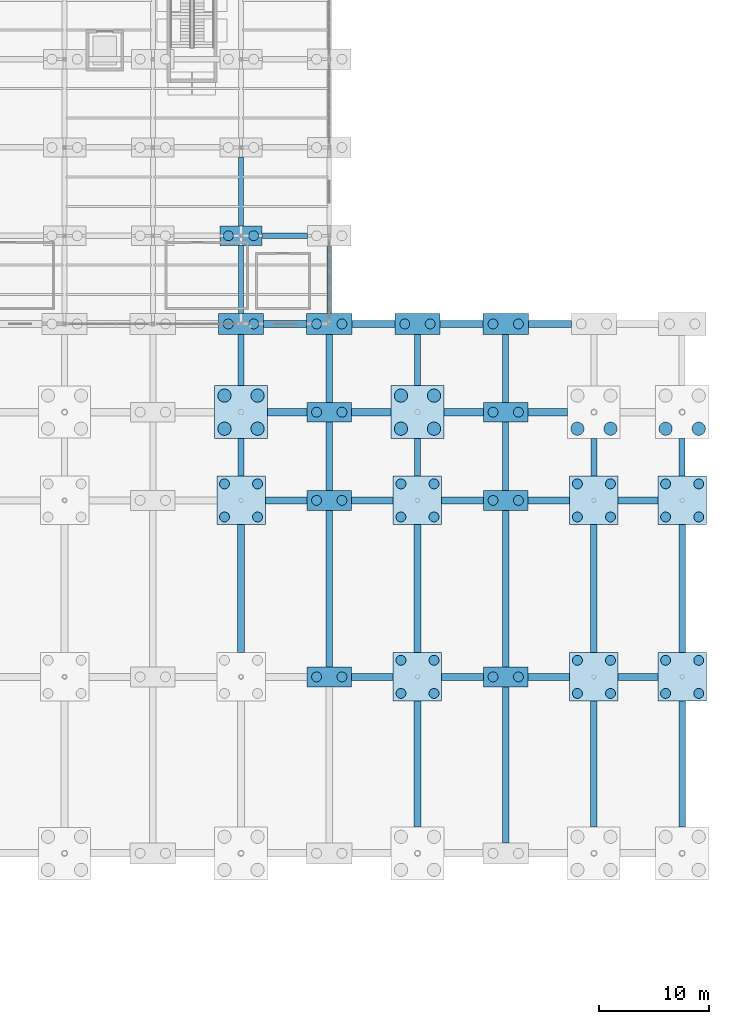
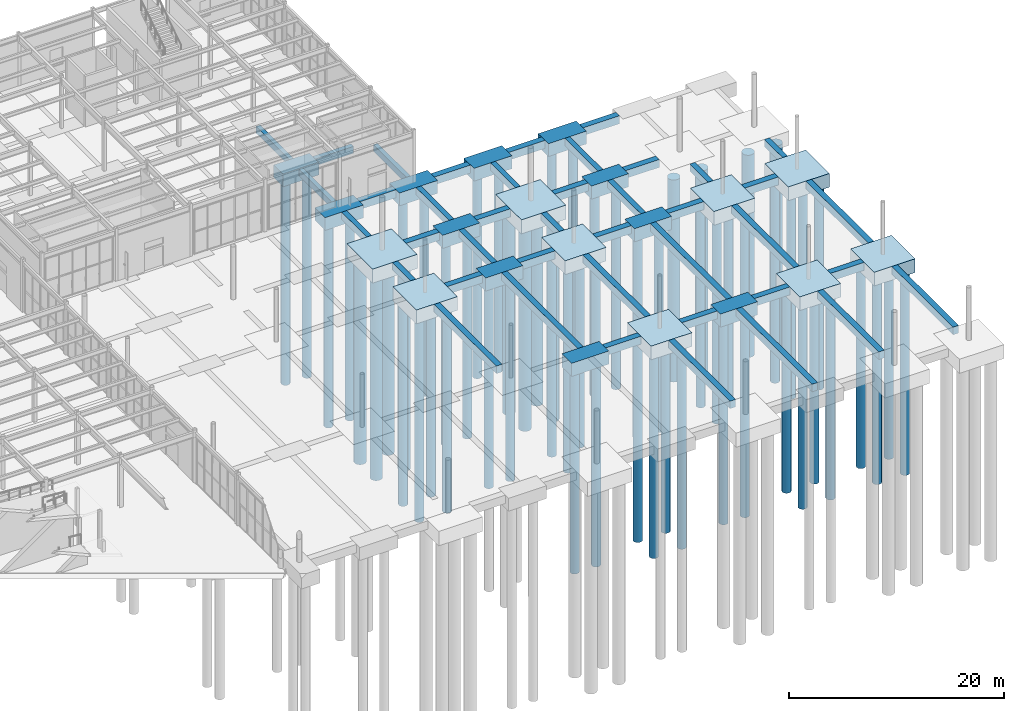
# One storey, part 3 of 82: 62 piles, 61 footings.
"""IFC4 building model written with IfcOpenShell, lengths in metres."""

from ifc_helpers import new_model, si_unit, direction, frame, origin, origin_2d, place, context, subcontext, project, spatial, rectangle, circle, extrude, material, material_profile, profile_set, type_object, element, save


model = new_model("IFC4")

# Units and contexts
model_context = context("Model", 3, precision=1e-05, world=origin(), true_north=direction((0.0, 1.0)))
body_context = subcontext(model_context, "Body", "Model", "MODEL_VIEW")
ifc_project = project(units=[si_unit("LENGTHUNIT", "METRE"), si_unit("AREAUNIT", "SQUARE_METRE"), si_unit("VOLUMEUNIT", "CUBIC_METRE"), si_unit("PLANEANGLEUNIT", "RADIAN"), si_unit("MASSUNIT", "GRAM", prefix="KILO")], contexts=[model_context])

# Site, building, storey
site_placement = place(None, origin())
site = spatial("IfcSite", under=ifc_project, at=site_placement, CompositionType="ELEMENT")
building_placement = place(site_placement, origin())
building = spatial("IfcBuilding", under=site, at=building_placement, Name="Drelvath Fold Interchange", CompositionType="ELEMENT")
storey_placement = place(building_placement, origin())
storey = spatial("IfcBuildingStorey", under=building, at=storey_placement, Name="L00", CompositionType="ELEMENT", Elevation=0.0)

# Piles
ifc_material_1 = material(Name="Concrete f'c 55 MPa (8000 psi)", Category="concrete")
ifc_material_profile_1 = material_profile(ifc_material_1, circle(Radius=0.60009765625, at=origin_2d()), Name="CAISSON D1200")
ifc_profile_set_1 = profile_set([ifc_material_profile_1], Name="Concrete f'c 55 MPa (8000 psi)")
pile_type_1 = type_object("IfcPileType", Name="CA-D1200", PredefinedType="BORED", material=ifc_profile_set_1)
for number, where, z_axis, x_axis, name in (
    (1, (132.5, 65.5, -1.5), (0.0, 0.0, -1.0), (1.0, 0.0, 0.0), "L00 rock-socketed caisson PL-L00-256"),
    (2, (135.5, 65.5, -1.5), (0.0, 0.0, -1.0), (1.0, 0.0, 0.0), "L00 rock-socketed caisson PL-L00-257"),
    (3, (135.5, 68.5, -1.5), (0.0, 0.0, -1.0), (1.0, 0.0, 0.0), "L00 rock-socketed caisson PL-L00-258"),
    (4, (132.5, 68.5, -1.5), (0.0, 0.0, -1.0), (1.0, 0.0, 0.0), "L00 rock-socketed caisson PL-L00-259"),
    (5, (148.5, 65.5, -1.5), (0.0, 0.0, -1.0), (1.0, 0.0, 0.0), "L00 rock-socketed caisson PL-L00-300"),
    (6, (151.5, 65.5, -1.5), (0.0, 0.0, -1.0), (1.0, 0.0, 0.0), "L00 rock-socketed caisson PL-L00-301"),
    (7, (151.5, 68.5, -1.5), (0.0, 0.0, -1.0), (1.0, 0.0, 0.0), "L00 rock-socketed caisson PL-L00-302"),
    (8, (148.5, 68.5, -1.5), (0.0, 0.0, -1.0), (1.0, 0.0, 0.0), "L00 rock-socketed caisson PL-L00-303"),
):
    element("IfcPile", number, at=place(storey_placement, frame(where, z_axis=z_axis, x_axis=x_axis)), inside=storey, type_object=pile_type_1, Name=name, PredefinedType="BORED", context=body_context, shape_type="SweptSolid", body=[
        extrude(circle(Radius=0.60009765625, at=origin_2d()), origin(), (0.0, 0.0, 1.0), 23.0),
    ])
for number, where, z_axis, x_axis, name in (
    (9, (164.5, 65.5, -1.52001953125), (0.0, 0.0, -1.0), (1.0, 0.0, 0.0), "L00 rock-socketed caisson PL-L00-328"),
    (10, (167.5, 65.5, -1.52001953125), (0.0, 0.0, -1.0), (1.0, 0.0, 0.0), "L00 rock-socketed caisson PL-L00-329"),
):
    element("IfcPile", number, at=place(storey_placement, frame(where, z_axis=z_axis, x_axis=x_axis)), inside=storey, type_object=pile_type_1, Name=name, PredefinedType="BORED", context=body_context, shape_type="SweptSolid", body=[
        extrude(circle(Radius=0.60009765625, at=origin_2d()), origin(), (0.0, 0.0, 1.0), 22.97998046875),
    ])
for number, where, z_axis, x_axis, name in (
    (11, (172.5, 65.5, -1.5), (0.0, 0.0, -1.0), (1.0, 0.0, 0.0), "L00 rock-socketed caisson PL-L00-346"),
    (12, (175.5, 65.5, -1.5), (0.0, 0.0, -1.0), (1.0, 0.0, 0.0), "L00 rock-socketed caisson PL-L00-347"),
):
    element("IfcPile", number, at=place(storey_placement, frame(where, z_axis=z_axis, x_axis=x_axis)), inside=storey, type_object=pile_type_1, Name=name, PredefinedType="BORED", context=body_context, shape_type="SweptSolid", body=[
        extrude(circle(Radius=0.60009765625, at=origin_2d()), origin(), (0.0, 0.0, 1.0), 23.0),
    ])
ifc_material_profile_2 = material_profile(ifc_material_1, circle(Radius=0.449951171875, at=origin_2d()), Name="CAISSON D900")
ifc_profile_set_2 = profile_set([ifc_material_profile_2], Name="Concrete f'c 55 MPa (8000 psi)")
pile_type_2 = type_object("IfcPileType", Name="CA-D900", PredefinedType="BORED", material=ifc_profile_set_2)
for number, where, z_axis, x_axis, name in (
    (13, (132.5, 57.5, -1.4599609375), (0.0, 0.0, -1.0), (1.0, 0.0, 0.0), "L00 rock-socketed caisson PL-L00-252"),
    (14, (135.5, 57.5, -1.4599609375), (0.0, 0.0, -1.0), (1.0, 0.0, 0.0), "L00 rock-socketed caisson PL-L00-253"),
    (15, (135.5, 60.5, -1.4599609375), (0.0, 0.0, -1.0), (1.0, 0.0, 0.0), "L00 rock-socketed caisson PL-L00-254"),
    (16, (132.5, 60.5, -1.4599609375), (0.0, 0.0, -1.0), (1.0, 0.0, 0.0), "L00 rock-socketed caisson PL-L00-255"),
):
    element("IfcPile", number, at=place(storey_placement, frame(where, z_axis=z_axis, x_axis=x_axis)), inside=storey, type_object=pile_type_2, Name=name, PredefinedType="BORED", context=body_context, shape_type="SweptSolid", body=[
        extrude(circle(Radius=0.449951171875, at=origin_2d()), origin(), (0.0, 0.0, 1.0), 23.0400390625),
    ])
for number, where, z_axis, x_axis, name in (
    (17, (132.85009765625, 75.0, -1.360107421875), (0.0, 0.0, -1.0), (1.0, 0.0, 0.0), "L00 rock-socketed caisson PL-L00-260"),
    (18, (135.14990234375, 75.0, -1.360107421875), (0.0, 0.0, -1.0), (1.0, 0.0, 0.0), "L00 rock-socketed caisson PL-L00-261"),
):
    element("IfcPile", number, at=place(storey_placement, frame(where, z_axis=z_axis, x_axis=x_axis)), inside=storey, type_object=pile_type_2, Name=name, PredefinedType="BORED", context=body_context, shape_type="SweptSolid", body=[
        extrude(circle(Radius=0.449951171875, at=origin_2d()), origin(), (0.0, 0.0, 1.0), 23.139892578125),
    ])
for number, where, z_axis, x_axis, name in (
    (19, (132.85009765625, 83.0, -1.340087890625), (0.0, 0.0, -1.0), (1.0, 0.0, 0.0), "L00 rock-socketed caisson PL-L00-262"),
    (20, (135.14990234375, 83.0, -1.340087890625), (0.0, 0.0, -1.0), (1.0, 0.0, 0.0), "L00 rock-socketed caisson PL-L00-263"),
):
    element("IfcPile", number, at=place(storey_placement, frame(where, z_axis=z_axis, x_axis=x_axis)), inside=storey, type_object=pile_type_2, Name=name, PredefinedType="BORED", context=body_context, shape_type="SweptSolid", body=[
        extrude(circle(Radius=0.449951171875, at=origin_2d()), origin(), (0.0, 0.0, 1.0), 23.159912109375),
    ])
for number, where, z_axis, x_axis, name in (
    (21, (140.85009765625, 43.0, -1.39990234375), (0.0, 0.0, -1.0), (1.0, 0.0, 0.0), "L00 rock-socketed caisson PL-L00-272"),
    (22, (143.14990234375, 43.0, -1.39990234375), (0.0, 0.0, -1.0), (1.0, 0.0, 0.0), "L00 rock-socketed caisson PL-L00-273"),
    (23, (140.85009765625, 59.0, -1.39990234375), (0.0, 0.0, -1.0), (1.0, 0.0, 0.0), "L00 rock-socketed caisson PL-L00-274"),
    (24, (143.14990234375, 59.0, -1.39990234375), (0.0, 0.0, -1.0), (1.0, 0.0, 0.0), "L00 rock-socketed caisson PL-L00-275"),
    (25, (140.85009765625, 67.0, -1.39990234375), (0.0, 0.0, -1.0), (1.0, 0.0, 0.0), "L00 rock-socketed caisson PL-L00-276"),
    (26, (143.14990234375, 67.0, -1.39990234375), (0.0, 0.0, -1.0), (1.0, 0.0, 0.0), "L00 rock-socketed caisson PL-L00-277"),
):
    element("IfcPile", number, at=place(storey_placement, frame(where, z_axis=z_axis, x_axis=x_axis)), inside=storey, type_object=pile_type_2, Name=name, PredefinedType="BORED", context=body_context, shape_type="SweptSolid", body=[
        extrude(circle(Radius=0.449951171875, at=origin_2d()), origin(), (0.0, 0.0, 1.0), 23.10009765625),
    ])
for number, where, z_axis, x_axis, name in (
    (27, (140.85009765625, 75.0, -1.360107421875), (0.0, 0.0, -1.0), (1.0, 0.0, 0.0), "L00 rock-socketed caisson PL-L00-278"),
    (28, (143.14990234375, 75.0, -1.360107421875), (0.0, 0.0, -1.0), (1.0, 0.0, 0.0), "L00 rock-socketed caisson PL-L00-279"),
):
    element("IfcPile", number, at=place(storey_placement, frame(where, z_axis=z_axis, x_axis=x_axis)), inside=storey, type_object=pile_type_2, Name=name, PredefinedType="BORED", context=body_context, shape_type="SweptSolid", body=[
        extrude(circle(Radius=0.449951171875, at=origin_2d()), origin(), (0.0, 0.0, 1.0), 23.139892578125),
    ])
for number, where, z_axis, x_axis, name in (
    (29, (148.5, 41.5, -1.4599609375), (0.0, 0.0, -1.0), (1.0, 0.0, 0.0), "L00 rock-socketed caisson PL-L00-292"),
    (30, (151.5, 41.5, -1.4599609375), (0.0, 0.0, -1.0), (1.0, 0.0, 0.0), "L00 rock-socketed caisson PL-L00-293"),
    (31, (151.5, 44.5, -1.4599609375), (0.0, 0.0, -1.0), (1.0, 0.0, 0.0), "L00 rock-socketed caisson PL-L00-294"),
    (32, (148.5, 44.5, -1.4599609375), (0.0, 0.0, -1.0), (1.0, 0.0, 0.0), "L00 rock-socketed caisson PL-L00-295"),
    (33, (148.5, 57.5, -1.4599609375), (0.0, 0.0, -1.0), (1.0, 0.0, 0.0), "L00 rock-socketed caisson PL-L00-296"),
    (34, (151.5, 57.5, -1.4599609375), (0.0, 0.0, -1.0), (1.0, 0.0, 0.0), "L00 rock-socketed caisson PL-L00-297"),
    (35, (151.5, 60.5, -1.4599609375), (0.0, 0.0, -1.0), (1.0, 0.0, 0.0), "L00 rock-socketed caisson PL-L00-298"),
    (36, (148.5, 60.5, -1.4599609375), (0.0, 0.0, -1.0), (1.0, 0.0, 0.0), "L00 rock-socketed caisson PL-L00-299"),
):
    element("IfcPile", number, at=place(storey_placement, frame(where, z_axis=z_axis, x_axis=x_axis)), inside=storey, type_object=pile_type_2, Name=name, PredefinedType="BORED", context=body_context, shape_type="SweptSolid", body=[
        extrude(circle(Radius=0.449951171875, at=origin_2d()), origin(), (0.0, 0.0, 1.0), 23.0400390625),
    ])
for number, where, z_axis, x_axis, name in (
    (37, (148.85009765625, 75.0, -1.360107421875), (0.0, 0.0, -1.0), (1.0, 0.0, 0.0), "L00 rock-socketed caisson PL-L00-304"),
    (38, (151.14990234375, 75.0, -1.360107421875), (0.0, 0.0, -1.0), (1.0, 0.0, 0.0), "L00 rock-socketed caisson PL-L00-305"),
):
    element("IfcPile", number, at=place(storey_placement, frame(where, z_axis=z_axis, x_axis=x_axis)), inside=storey, type_object=pile_type_2, Name=name, PredefinedType="BORED", context=body_context, shape_type="SweptSolid", body=[
        extrude(circle(Radius=0.449951171875, at=origin_2d()), origin(), (0.0, 0.0, 1.0), 23.139892578125),
    ])
for number, where, z_axis, x_axis, name in (
    (39, (156.85009765625, 43.0, -1.39990234375), (0.0, 0.0, -1.0), (1.0, 0.0, 0.0), "L00 rock-socketed caisson PL-L00-308"),
    (40, (159.14990234375, 43.0, -1.39990234375), (0.0, 0.0, -1.0), (1.0, 0.0, 0.0), "L00 rock-socketed caisson PL-L00-309"),
    (41, (156.85009765625, 59.0, -1.39990234375), (0.0, 0.0, -1.0), (1.0, 0.0, 0.0), "L00 rock-socketed caisson PL-L00-310"),
    (42, (159.14990234375, 59.0, -1.39990234375), (0.0, 0.0, -1.0), (1.0, 0.0, 0.0), "L00 rock-socketed caisson PL-L00-311"),
    (43, (156.85009765625, 67.0, -1.39990234375), (0.0, 0.0, -1.0), (1.0, 0.0, 0.0), "L00 rock-socketed caisson PL-L00-312"),
    (44, (159.14990234375, 67.0, -1.39990234375), (0.0, 0.0, -1.0), (1.0, 0.0, 0.0), "L00 rock-socketed caisson PL-L00-313"),
):
    element("IfcPile", number, at=place(storey_placement, frame(where, z_axis=z_axis, x_axis=x_axis)), inside=storey, type_object=pile_type_2, Name=name, PredefinedType="BORED", context=body_context, shape_type="SweptSolid", body=[
        extrude(circle(Radius=0.449951171875, at=origin_2d()), origin(), (0.0, 0.0, 1.0), 23.10009765625),
    ])
for number, where, z_axis, x_axis, name in (
    (45, (156.85009765625, 75.0, -1.360107421875), (0.0, 0.0, -1.0), (1.0, 0.0, 0.0), "L00 rock-socketed caisson PL-L00-314"),
    (46, (159.14990234375, 75.0, -1.360107421875), (0.0, 0.0, -1.0), (1.0, 0.0, 0.0), "L00 rock-socketed caisson PL-L00-315"),
):
    element("IfcPile", number, at=place(storey_placement, frame(where, z_axis=z_axis, x_axis=x_axis)), inside=storey, type_object=pile_type_2, Name=name, PredefinedType="BORED", context=body_context, shape_type="SweptSolid", body=[
        extrude(circle(Radius=0.449951171875, at=origin_2d()), origin(), (0.0, 0.0, 1.0), 23.139892578125),
    ])
for number, where, z_axis, x_axis, name in (
    (47, (164.5, 41.5, -1.4599609375), (0.0, 0.0, -1.0), (1.0, 0.0, 0.0), "L00 rock-socketed caisson PL-L00-320"),
    (48, (167.5, 41.5, -1.4599609375), (0.0, 0.0, -1.0), (1.0, 0.0, 0.0), "L00 rock-socketed caisson PL-L00-321"),
    (49, (167.5, 44.5, -1.4599609375), (0.0, 0.0, -1.0), (1.0, 0.0, 0.0), "L00 rock-socketed caisson PL-L00-322"),
    (50, (164.5, 44.5, -1.4599609375), (0.0, 0.0, -1.0), (1.0, 0.0, 0.0), "L00 rock-socketed caisson PL-L00-323"),
    (51, (164.5, 57.5, -1.4599609375), (0.0, 0.0, -1.0), (1.0, 0.0, 0.0), "L00 rock-socketed caisson PL-L00-324"),
    (52, (167.5, 57.5, -1.4599609375), (0.0, 0.0, -1.0), (1.0, 0.0, 0.0), "L00 rock-socketed caisson PL-L00-325"),
    (53, (167.5, 60.5, -1.4599609375), (0.0, 0.0, -1.0), (1.0, 0.0, 0.0), "L00 rock-socketed caisson PL-L00-326"),
    (54, (164.5, 60.5, -1.4599609375), (0.0, 0.0, -1.0), (1.0, 0.0, 0.0), "L00 rock-socketed caisson PL-L00-327"),
    (55, (172.5, 41.5, -1.4599609375), (0.0, 0.0, -1.0), (1.0, 0.0, 0.0), "L00 rock-socketed caisson PL-L00-338"),
    (56, (175.5, 41.5, -1.4599609375), (0.0, 0.0, -1.0), (1.0, 0.0, 0.0), "L00 rock-socketed caisson PL-L00-339"),
    (57, (175.5, 44.5, -1.4599609375), (0.0, 0.0, -1.0), (1.0, 0.0, 0.0), "L00 rock-socketed caisson PL-L00-340"),
    (58, (172.5, 44.5, -1.4599609375), (0.0, 0.0, -1.0), (1.0, 0.0, 0.0), "L00 rock-socketed caisson PL-L00-341"),
    (59, (172.5, 57.5, -1.4599609375), (0.0, 0.0, -1.0), (1.0, 0.0, 0.0), "L00 rock-socketed caisson PL-L00-342"),
    (60, (175.5, 57.5, -1.4599609375), (0.0, 0.0, -1.0), (1.0, 0.0, 0.0), "L00 rock-socketed caisson PL-L00-343"),
    (61, (175.5, 60.5, -1.4599609375), (0.0, 0.0, -1.0), (1.0, 0.0, 0.0), "L00 rock-socketed caisson PL-L00-344"),
    (62, (172.5, 60.5, -1.4599609375), (0.0, 0.0, -1.0), (1.0, 0.0, 0.0), "L00 rock-socketed caisson PL-L00-345"),
):
    element("IfcPile", number, at=place(storey_placement, frame(where, z_axis=z_axis, x_axis=x_axis)), inside=storey, type_object=pile_type_2, Name=name, PredefinedType="BORED", context=body_context, shape_type="SweptSolid", body=[
        extrude(circle(Radius=0.449951171875, at=origin_2d()), origin(), (0.0, 0.0, 1.0), 23.0400390625),
    ])

# Footings
ifc_material_2 = material(Name="Concrete f'c 45 MPa (6500 psi)", Category="concrete")
footing_type_1 = type_object("IfcFootingType", Name="GB-450x740", PredefinedType="FOOTING_BEAM", material=ifc_material_2)
footing_1_placement = place(storey_placement, frame((134.0, 79.037109375, -0.740234375), z_axis=(0.0, 0.0, 1.0), x_axis=(1.0, 0.0, 0.0)))
element("IfcFooting", 63, at=footing_1_placement, inside=storey, type_object=footing_type_1, Name="Continuous grade beam FT-GBY-102", PredefinedType="FOOTING_BEAM", context=body_context, shape_type="SweptSolid", body=[
    extrude(rectangle(XDim=0.449951171875, YDim=6.175048828125, at=origin_2d()), origin(), (0.0, 0.0, 1.0), 0.739990234375),
])
footing_2_placement = place(storey_placement, frame((134.0, 87.0, -0.740234375), z_axis=(0.0, 0.0, 1.0), x_axis=(1.0, 0.0, 0.0)))
element("IfcFooting", 64, at=footing_2_placement, inside=storey, type_object=footing_type_1, Name="Continuous grade beam FT-GBY-103", PredefinedType="FOOTING_BEAM", context=body_context, shape_type="SweptSolid", body=[
    extrude(rectangle(XDim=0.449951171875, YDim=6.25, at=origin_2d()), origin(), (0.0, 0.0, 1.0), 0.739990234375),
])
footing_3_placement = place(storey_placement, frame((142.0, 79.014892578125, -0.740234375), z_axis=(0.0, 0.0, 1.0), x_axis=(1.0, 0.0, 0.0)))
element("IfcFooting", 65, at=footing_3_placement, inside=storey, type_object=footing_type_1, Name="Continuous grade beam FT-GBY-110", PredefinedType="FOOTING_BEAM", context=body_context, shape_type="SweptSolid", body=[
    extrude(rectangle(XDim=0.449951171875, YDim=6.1298828125, at=origin_2d()), origin(), (0.0, 0.0, 1.0), 0.739990234375),
])
footing_type_2 = type_object("IfcFootingType", Name="GB-500x780", PredefinedType="FOOTING_BEAM", material=ifc_material_2)
footing_4_placement = place(storey_placement, frame((137.98291015625, 83.0, -0.77978515625), z_axis=(0.0, 0.0, 1.0), x_axis=(1.0, 0.0, 0.0)))
element("IfcFooting", 66, at=footing_4_placement, inside=storey, type_object=footing_type_2, Name="Continuous grade beam FT-GBX-050", PredefinedType="FOOTING_BEAM", context=body_context, shape_type="SweptSolid", body=[
    extrude(rectangle(XDim=4.114990234375, YDim=0.5, at=origin_2d()), origin(), (0.0, 0.0, 1.0), 0.780029296875),
])
footing_type_3 = type_object("IfcFootingType", Name="GB-550x820", PredefinedType="FOOTING_BEAM", material=ifc_material_2)
footing_5_placement = place(storey_placement, frame((134.0, 62.89990234375, -0.81982421875), z_axis=(0.0, 0.0, 1.0), x_axis=(1.0, 0.0, 0.0)))
element("IfcFooting", 67, at=footing_5_placement, inside=storey, type_object=footing_type_3, Name="Continuous grade beam FT-GBY-100", PredefinedType="FOOTING_BEAM", context=body_context, shape_type="SweptSolid", body=[
    extrude(rectangle(XDim=0.550048828125, YDim=3.39990234375, at=origin_2d()), origin(), (0.0, 0.0, 1.0), 0.820068359375),
])
footing_6_placement = place(storey_placement, frame((134.0, 71.72509765625, -0.81982421875), z_axis=(0.0, 0.0, 1.0), x_axis=(1.0, 0.0, 0.0)))
element("IfcFooting", 68, at=footing_6_placement, inside=storey, type_object=footing_type_3, Name="Continuous grade beam FT-GBY-101", PredefinedType="FOOTING_BEAM", context=body_context, shape_type="SweptSolid", body=[
    extrude(rectangle(XDim=0.550048828125, YDim=4.64990234375, at=origin_2d()), origin(), (0.0, 0.0, 1.0), 0.820068359375),
])
footing_7_placement = place(storey_placement, frame((142.0, 63.0, -0.81982421875), z_axis=(0.0, 0.0, 1.0), x_axis=(1.0, 0.0, 0.0)))
element("IfcFooting", 69, at=footing_7_placement, inside=storey, type_object=footing_type_3, Name="Continuous grade beam FT-GBY-108", PredefinedType="FOOTING_BEAM", context=body_context, shape_type="SweptSolid", body=[
    extrude(rectangle(XDim=0.550048828125, YDim=6.199951171875, at=origin_2d()), origin(), (0.0, 0.0, 1.0), 0.820068359375),
])
footing_8_placement = place(storey_placement, frame((142.0, 70.97509765625, -0.81982421875), z_axis=(0.0, 0.0, 1.0), x_axis=(1.0, 0.0, 0.0)))
element("IfcFooting", 70, at=footing_8_placement, inside=storey, type_object=footing_type_3, Name="Continuous grade beam FT-GBY-109", PredefinedType="FOOTING_BEAM", context=body_context, shape_type="SweptSolid", body=[
    extrude(rectangle(XDim=0.550048828125, YDim=6.14990234375, at=origin_2d()), origin(), (0.0, 0.0, 1.0), 0.820068359375),
])
footing_9_placement = place(storey_placement, frame((150.0, 62.89990234375, -0.81982421875), z_axis=(0.0, 0.0, 1.0), x_axis=(1.0, 0.0, 0.0)))
element("IfcFooting", 71, at=footing_9_placement, inside=storey, type_object=footing_type_3, Name="Continuous grade beam FT-GBY-116", PredefinedType="FOOTING_BEAM", context=body_context, shape_type="SweptSolid", body=[
    extrude(rectangle(XDim=0.550048828125, YDim=3.39990234375, at=origin_2d()), origin(), (0.0, 0.0, 1.0), 0.820068359375),
])
footing_10_placement = place(storey_placement, frame((150.0, 71.72509765625, -0.81982421875), z_axis=(0.0, 0.0, 1.0), x_axis=(1.0, 0.0, 0.0)))
element("IfcFooting", 72, at=footing_10_placement, inside=storey, type_object=footing_type_3, Name="Continuous grade beam FT-GBY-117", PredefinedType="FOOTING_BEAM", context=body_context, shape_type="SweptSolid", body=[
    extrude(rectangle(XDim=0.550048828125, YDim=4.64990234375, at=origin_2d()), origin(), (0.0, 0.0, 1.0), 0.820068359375),
])
footing_11_placement = place(storey_placement, frame((158.0, 63.0, -0.81982421875), z_axis=(0.0, 0.0, 1.0), x_axis=(1.0, 0.0, 0.0)))
element("IfcFooting", 73, at=footing_11_placement, inside=storey, type_object=footing_type_3, Name="Continuous grade beam FT-GBY-120", PredefinedType="FOOTING_BEAM", context=body_context, shape_type="SweptSolid", body=[
    extrude(rectangle(XDim=0.550048828125, YDim=6.199951171875, at=origin_2d()), origin(), (0.0, 0.0, 1.0), 0.820068359375),
])
footing_12_placement = place(storey_placement, frame((158.0, 70.97509765625, -0.81982421875), z_axis=(0.0, 0.0, 1.0), x_axis=(1.0, 0.0, 0.0)))
element("IfcFooting", 74, at=footing_12_placement, inside=storey, type_object=footing_type_3, Name="Continuous grade beam FT-GBY-121", PredefinedType="FOOTING_BEAM", context=body_context, shape_type="SweptSolid", body=[
    extrude(rectangle(XDim=0.550048828125, YDim=6.14990234375, at=origin_2d()), origin(), (0.0, 0.0, 1.0), 0.820068359375),
])
footing_13_placement = place(storey_placement, frame((166.0, 62.909912109375, -0.81982421875), z_axis=(0.0, 0.0, 1.0), x_axis=(1.0, 0.0, 0.0)))
element("IfcFooting", 75, at=footing_13_placement, inside=storey, type_object=footing_type_3, Name="Continuous grade beam FT-GBY-124", PredefinedType="FOOTING_BEAM", context=body_context, shape_type="SweptSolid", body=[
    extrude(rectangle(XDim=0.550048828125, YDim=3.419921875, at=origin_2d()), origin(), (0.0, 0.0, 1.0), 0.820068359375),
])
footing_14_placement = place(storey_placement, frame((174.0, 62.89990234375, -0.81982421875), z_axis=(0.0, 0.0, 1.0), x_axis=(1.0, 0.0, 0.0)))
element("IfcFooting", 76, at=footing_14_placement, inside=storey, type_object=footing_type_3, Name="Continuous grade beam FT-GBY-128", PredefinedType="FOOTING_BEAM", context=body_context, shape_type="SweptSolid", body=[
    extrude(rectangle(XDim=0.550048828125, YDim=3.39990234375, at=origin_2d()), origin(), (0.0, 0.0, 1.0), 0.820068359375),
])
footing_type_4 = type_object("IfcFootingType", Name="GB-600x860", PredefinedType="FOOTING_BEAM", material=ifc_material_2)
footing_15_placement = place(storey_placement, frame((134.0, 51.0, -0.85986328125), z_axis=(0.0, 0.0, 1.0), x_axis=(1.0, 0.0, 0.0)))
element("IfcFooting", 77, at=footing_15_placement, inside=storey, type_object=footing_type_4, Name="Continuous grade beam FT-GBY-099", PredefinedType="FOOTING_BEAM", context=body_context, shape_type="SweptSolid", body=[
    extrude(rectangle(XDim=0.60009765625, YDim=11.60009765625, at=origin_2d()), origin(), (0.0, 0.0, 1.0), 0.860107421875),
])
footing_16_placement = place(storey_placement, frame((142.0, 51.0, -0.85986328125), z_axis=(0.0, 0.0, 1.0), x_axis=(1.0, 0.0, 0.0)))
element("IfcFooting", 78, at=footing_16_placement, inside=storey, type_object=footing_type_4, Name="Continuous grade beam FT-GBY-107", PredefinedType="FOOTING_BEAM", context=body_context, shape_type="SweptSolid", body=[
    extrude(rectangle(XDim=0.60009765625, YDim=14.199951171875, at=origin_2d()), origin(), (0.0, 0.0, 1.0), 0.860107421875),
])
footing_17_placement = place(storey_placement, frame((150.0, 35.10009765625, -0.85986328125), z_axis=(0.0, 0.0, 1.0), x_axis=(1.0, 0.0, 0.0)))
element("IfcFooting", 79, at=footing_17_placement, inside=storey, type_object=footing_type_4, Name="Continuous grade beam FT-GBY-114", PredefinedType="FOOTING_BEAM", context=body_context, shape_type="SweptSolid", body=[
    extrude(rectangle(XDim=0.60009765625, YDim=11.39990234375, at=origin_2d()), origin(), (0.0, 0.0, 1.0), 0.860107421875),
])
footing_18_placement = place(storey_placement, frame((150.0, 51.0, -0.85986328125), z_axis=(0.0, 0.0, 1.0), x_axis=(1.0, 0.0, 0.0)))
element("IfcFooting", 80, at=footing_18_placement, inside=storey, type_object=footing_type_4, Name="Continuous grade beam FT-GBY-115", PredefinedType="FOOTING_BEAM", context=body_context, shape_type="SweptSolid", body=[
    extrude(rectangle(XDim=0.60009765625, YDim=11.60009765625, at=origin_2d()), origin(), (0.0, 0.0, 1.0), 0.860107421875),
])
footing_19_placement = place(storey_placement, frame((158.0, 35.02490234375, -0.85986328125), z_axis=(0.0, 0.0, 1.0), x_axis=(1.0, 0.0, 0.0)))
element("IfcFooting", 81, at=footing_19_placement, inside=storey, type_object=footing_type_4, Name="Continuous grade beam FT-GBY-118", PredefinedType="FOOTING_BEAM", context=body_context, shape_type="SweptSolid", body=[
    extrude(rectangle(XDim=0.60009765625, YDim=14.14990234375, at=origin_2d()), origin(), (0.0, 0.0, 1.0), 0.860107421875),
])
footing_20_placement = place(storey_placement, frame((158.0, 51.0, -0.85986328125), z_axis=(0.0, 0.0, 1.0), x_axis=(1.0, 0.0, 0.0)))
element("IfcFooting", 82, at=footing_20_placement, inside=storey, type_object=footing_type_4, Name="Continuous grade beam FT-GBY-119", PredefinedType="FOOTING_BEAM", context=body_context, shape_type="SweptSolid", body=[
    extrude(rectangle(XDim=0.60009765625, YDim=14.199951171875, at=origin_2d()), origin(), (0.0, 0.0, 1.0), 0.860107421875),
])
footing_21_placement = place(storey_placement, frame((166.0, 35.090087890625, -0.85986328125), z_axis=(0.0, 0.0, 1.0), x_axis=(1.0, 0.0, 0.0)))
element("IfcFooting", 83, at=footing_21_placement, inside=storey, type_object=footing_type_4, Name="Continuous grade beam FT-GBY-122", PredefinedType="FOOTING_BEAM", context=body_context, shape_type="SweptSolid", body=[
    extrude(rectangle(XDim=0.60009765625, YDim=11.419921875, at=origin_2d()), origin(), (0.0, 0.0, 1.0), 0.860107421875),
])
footing_22_placement = place(storey_placement, frame((166.0, 51.0, -0.85986328125), z_axis=(0.0, 0.0, 1.0), x_axis=(1.0, 0.0, 0.0)))
element("IfcFooting", 84, at=footing_22_placement, inside=storey, type_object=footing_type_4, Name="Continuous grade beam FT-GBY-123", PredefinedType="FOOTING_BEAM", context=body_context, shape_type="SweptSolid", body=[
    extrude(rectangle(XDim=0.60009765625, YDim=11.60009765625, at=origin_2d()), origin(), (0.0, 0.0, 1.0), 0.860107421875),
])
footing_23_placement = place(storey_placement, frame((174.0, 35.10009765625, -0.85986328125), z_axis=(0.0, 0.0, 1.0), x_axis=(1.0, 0.0, 0.0)))
element("IfcFooting", 85, at=footing_23_placement, inside=storey, type_object=footing_type_4, Name="Continuous grade beam FT-GBY-126", PredefinedType="FOOTING_BEAM", context=body_context, shape_type="SweptSolid", body=[
    extrude(rectangle(XDim=0.60009765625, YDim=11.39990234375, at=origin_2d()), origin(), (0.0, 0.0, 1.0), 0.860107421875),
])
footing_24_placement = place(storey_placement, frame((174.0, 51.0, -0.85986328125), z_axis=(0.0, 0.0, 1.0), x_axis=(1.0, 0.0, 0.0)))
element("IfcFooting", 86, at=footing_24_placement, inside=storey, type_object=footing_type_4, Name="Continuous grade beam FT-GBY-127", PredefinedType="FOOTING_BEAM", context=body_context, shape_type="SweptSolid", body=[
    extrude(rectangle(XDim=0.60009765625, YDim=11.60009765625, at=origin_2d()), origin(), (0.0, 0.0, 1.0), 0.860107421875),
])
footing_type_5 = type_object("IfcFootingType", Name="GB-650x900", PredefinedType="FOOTING_BEAM", material=ifc_material_2)
for number, where, z_axis, x_axis, name in (
    (87, (145.89990234375, 43.0, -0.89990234375), (0.0, 0.0, 1.0), (1.0, 0.0, 0.0), "Continuous grade beam FT-GBX-015"),
    (88, (154.10009765625, 43.0, -0.89990234375), (0.0, 0.0, 1.0), (1.0, 0.0, 0.0), "Continuous grade beam FT-GBX-016"),
    (89, (161.89990234375, 43.0, -0.89990234375), (0.0, 0.0, 1.0), (1.0, 0.0, 0.0), "Continuous grade beam FT-GBX-017"),
):
    element("IfcFooting", number, at=place(storey_placement, frame(where, z_axis=z_axis, x_axis=x_axis)), inside=storey, type_object=footing_type_5, Name=name, PredefinedType="FOOTING_BEAM", context=body_context, shape_type="SweptSolid", body=[
        extrude(rectangle(XDim=3.800048828125, YDim=0.64990234375, at=origin_2d()), origin(), (0.0, 0.0, 1.0), 0.89990234375),
    ])
footing_25_placement = place(storey_placement, frame((170.0, 43.0, -0.89990234375), z_axis=(0.0, 0.0, 1.0), x_axis=(1.0, 0.0, 0.0)))
element("IfcFooting", 90, at=footing_25_placement, inside=storey, type_object=footing_type_5, Name="Continuous grade beam FT-GBX-018", PredefinedType="FOOTING_BEAM", context=body_context, shape_type="SweptSolid", body=[
    extrude(rectangle(XDim=3.60009765625, YDim=0.64990234375, at=origin_2d()), origin(), (0.0, 0.0, 1.0), 0.89990234375),
])
for number, where, z_axis, x_axis, name in (
    (91, (138.10009765625, 59.0, -0.89990234375), (0.0, 0.0, 1.0), (1.0, 0.0, 0.0), "Continuous grade beam FT-GBX-023"),
    (92, (145.89990234375, 59.0, -0.89990234375), (0.0, 0.0, 1.0), (1.0, 0.0, 0.0), "Continuous grade beam FT-GBX-024"),
    (93, (154.10009765625, 59.0, -0.89990234375), (0.0, 0.0, 1.0), (1.0, 0.0, 0.0), "Continuous grade beam FT-GBX-025"),
    (94, (161.89990234375, 59.0, -0.89990234375), (0.0, 0.0, 1.0), (1.0, 0.0, 0.0), "Continuous grade beam FT-GBX-026"),
):
    element("IfcFooting", number, at=place(storey_placement, frame(where, z_axis=z_axis, x_axis=x_axis)), inside=storey, type_object=footing_type_5, Name=name, PredefinedType="FOOTING_BEAM", context=body_context, shape_type="SweptSolid", body=[
        extrude(rectangle(XDim=3.800048828125, YDim=0.64990234375, at=origin_2d()), origin(), (0.0, 0.0, 1.0), 0.89990234375),
    ])
for number, where, z_axis, x_axis, name in (
    (95, (170.0, 59.0, -0.89990234375), (0.0, 0.0, 1.0), (1.0, 0.0, 0.0), "Continuous grade beam FT-GBX-027"),
    (96, (138.199951171875, 67.0, -0.89990234375), (0.0, 0.0, 1.0), (1.0, 0.0, 0.0), "Continuous grade beam FT-GBX-032"),
    (97, (145.800048828125, 67.0, -0.89990234375), (0.0, 0.0, 1.0), (1.0, 0.0, 0.0), "Continuous grade beam FT-GBX-033"),
    (98, (154.199951171875, 67.0, -0.89990234375), (0.0, 0.0, 1.0), (1.0, 0.0, 0.0), "Continuous grade beam FT-GBX-034"),
):
    element("IfcFooting", number, at=place(storey_placement, frame(where, z_axis=z_axis, x_axis=x_axis)), inside=storey, type_object=footing_type_5, Name=name, PredefinedType="FOOTING_BEAM", context=body_context, shape_type="SweptSolid", body=[
        extrude(rectangle(XDim=3.60009765625, YDim=0.64990234375, at=origin_2d()), origin(), (0.0, 0.0, 1.0), 0.89990234375),
    ])
footing_26_placement = place(storey_placement, frame((161.81005859375, 67.0, -0.89990234375), z_axis=(0.0, 0.0, 1.0), x_axis=(1.0, 0.0, 0.0)))
element("IfcFooting", 99, at=footing_26_placement, inside=storey, type_object=footing_type_5, Name="Continuous grade beam FT-GBX-035", PredefinedType="FOOTING_BEAM", context=body_context, shape_type="SweptSolid", body=[
    extrude(rectangle(XDim=3.6201171875, YDim=0.64990234375, at=origin_2d()), origin(), (0.0, 0.0, 1.0), 0.89990234375),
])
for number, where, z_axis, x_axis, name in (
    (100, (138.0, 75.0, -0.89990234375), (0.0, 0.0, 1.0), (1.0, 0.0, 0.0), "Continuous grade beam FT-GBX-041"),
    (101, (146.0, 75.0, -0.89990234375), (0.0, 0.0, 1.0), (1.0, 0.0, 0.0), "Continuous grade beam FT-GBX-042"),
    (102, (154.0, 75.0, -0.89990234375), (0.0, 0.0, 1.0), (1.0, 0.0, 0.0), "Continuous grade beam FT-GBX-043"),
    (103, (162.0, 75.0, -0.89990234375), (0.0, 0.0, 1.0), (1.0, 0.0, 0.0), "Continuous grade beam FT-GBX-044"),
):
    element("IfcFooting", number, at=place(storey_placement, frame(where, z_axis=z_axis, x_axis=x_axis)), inside=storey, type_object=footing_type_5, Name=name, PredefinedType="FOOTING_BEAM", context=body_context, shape_type="SweptSolid", body=[
        extrude(rectangle(XDim=3.89990234375, YDim=0.64990234375, at=origin_2d()), origin(), (0.0, 0.0, 1.0), 0.89990234375),
    ])
footing_type_6 = type_object("IfcFootingType", Name="PC-01", PredefinedType="PILE_CAP", material=ifc_material_2)
for number, where, z_axis, x_axis, name in (
    (104, (142.0, 43.0, -1.5), (0.0, 0.0, 1.0), (1.0, 0.0, 0.0), "Pile cap FT-CAP-047 (PC-01)"),
    (105, (142.0, 59.0, -1.5), (0.0, 0.0, 1.0), (1.0, 0.0, 0.0), "Pile cap FT-CAP-048 (PC-01)"),
    (106, (142.0, 67.0, -1.5), (0.0, 0.0, 1.0), (1.0, 0.0, 0.0), "Pile cap FT-CAP-049 (PC-01)"),
    (107, (158.0, 43.0, -1.5), (0.0, 0.0, 1.0), (1.0, 0.0, 0.0), "Pile cap FT-CAP-061 (PC-01)"),
    (108, (158.0, 59.0, -1.5), (0.0, 0.0, 1.0), (1.0, 0.0, 0.0), "Pile cap FT-CAP-062 (PC-01)"),
    (109, (158.0, 67.0, -1.5), (0.0, 0.0, 1.0), (1.0, 0.0, 0.0), "Pile cap FT-CAP-063 (PC-01)"),
):
    element("IfcFooting", number, at=place(storey_placement, frame(where, z_axis=z_axis, x_axis=x_axis)), inside=storey, type_object=footing_type_6, Name=name, PredefinedType="PILE_CAP", context=body_context, shape_type="SweptSolid", body=[
        extrude(rectangle(XDim=4.0, YDim=1.800048828125, at=origin_2d()), origin(), (0.0, 0.0, 1.0), 1.5),
    ])
footing_type_7 = type_object("IfcFootingType", Name="PC-02", PredefinedType="PILE_CAP", material=ifc_material_2)
for number, where, z_axis, x_axis, name in (
    (110, (134.0, 67.0, -1.60009765625), (0.0, 0.0, 1.0), (1.0, 0.0, 0.0), "Pile cap FT-CAP-040 (PC-02)"),
    (111, (150.0, 67.0, -1.60009765625), (0.0, 0.0, 1.0), (1.0, 0.0, 0.0), "Pile cap FT-CAP-058 (PC-02)"),
):
    element("IfcFooting", number, at=place(storey_placement, frame(where, z_axis=z_axis, x_axis=x_axis)), inside=storey, type_object=footing_type_7, Name=name, PredefinedType="PILE_CAP", context=body_context, shape_type="SweptSolid", body=[
        extrude(rectangle(XDim=4.800048828125, YDim=4.800048828125, at=origin_2d()), origin(), (0.0, 0.0, 1.0), 1.60009765625),
    ])
footing_type_8 = type_object("IfcFootingType", Name="PC-04", PredefinedType="PILE_CAP", material=ifc_material_2)
for number, where, z_axis, x_axis, name in (
    (112, (134.0, 59.0, -1.56005859375), (0.0, 0.0, 1.0), (1.0, 0.0, 0.0), "Pile cap FT-CAP-039 (PC-04)"),
    (113, (150.0, 43.0, -1.56005859375), (0.0, 0.0, 1.0), (1.0, 0.0, 0.0), "Pile cap FT-CAP-056 (PC-04)"),
    (114, (150.0, 59.0, -1.56005859375), (0.0, 0.0, 1.0), (1.0, 0.0, 0.0), "Pile cap FT-CAP-057 (PC-04)"),
    (115, (166.0, 43.0, -1.56005859375), (0.0, 0.0, 1.0), (1.0, 0.0, 0.0), "Pile cap FT-CAP-066 (PC-04)"),
    (116, (166.0, 59.0, -1.56005859375), (0.0, 0.0, 1.0), (1.0, 0.0, 0.0), "Pile cap FT-CAP-067 (PC-04)"),
    (117, (174.0, 43.0, -1.56005859375), (0.0, 0.0, 1.0), (1.0, 0.0, 0.0), "Pile cap FT-CAP-071 (PC-04)"),
    (118, (174.0, 59.0, -1.56005859375), (0.0, 0.0, 1.0), (1.0, 0.0, 0.0), "Pile cap FT-CAP-072 (PC-04)"),
):
    element("IfcFooting", number, at=place(storey_placement, frame(where, z_axis=z_axis, x_axis=x_axis)), inside=storey, type_object=footing_type_8, Name=name, PredefinedType="PILE_CAP", context=body_context, shape_type="SweptSolid", body=[
        extrude(rectangle(XDim=4.39990234375, YDim=4.39990234375, at=origin_2d()), origin(), (0.0, 0.0, 1.0), 1.56005859375),
    ])
footing_type_9 = type_object("IfcFootingType", Name="PC-07", PredefinedType="PILE_CAP", material=ifc_material_2)
footing_27_placement = place(storey_placement, frame((134.0, 83.0, -1.43994140625), z_axis=(0.0, 0.0, 1.0), x_axis=(1.0, 0.0, 0.0)))
element("IfcFooting", 119, at=footing_27_placement, inside=storey, type_object=footing_type_9, Name="Pile cap FT-CAP-042 (PC-07)", PredefinedType="PILE_CAP", context=body_context, shape_type="SweptSolid", body=[
    extrude(rectangle(XDim=3.85009765625, YDim=1.75, at=origin_2d()), origin(), (0.0, 0.0, 1.0), 1.43994140625),
])
footing_type_10 = type_object("IfcFootingType", Name="PC-08", PredefinedType="PILE_CAP", material=ifc_material_2)
for number, where, z_axis, x_axis, name in (
    (120, (134.0, 75.0, -1.4599609375), (0.0, 0.0, 1.0), (1.0, 0.0, 0.0), "Pile cap FT-CAP-041 (PC-08)"),
    (121, (142.0, 75.0, -1.4599609375), (0.0, 0.0, 1.0), (1.0, 0.0, 0.0), "Pile cap FT-CAP-050 (PC-08)"),
    (122, (150.0, 75.0, -1.4599609375), (0.0, 0.0, 1.0), (1.0, 0.0, 0.0), "Pile cap FT-CAP-059 (PC-08)"),
    (123, (158.0, 75.0, -1.4599609375), (0.0, 0.0, 1.0), (1.0, 0.0, 0.0), "Pile cap FT-CAP-064 (PC-08)"),
):
    element("IfcFooting", number, at=place(storey_placement, frame(where, z_axis=z_axis, x_axis=x_axis)), inside=storey, type_object=footing_type_10, Name=name, PredefinedType="PILE_CAP", context=body_context, shape_type="SweptSolid", body=[
        extrude(rectangle(XDim=4.10009765625, YDim=1.89990234375, at=origin_2d()), origin(), (0.0, 0.0, 1.0), 1.4599609375),
    ])

save(model, "model.ifc")
